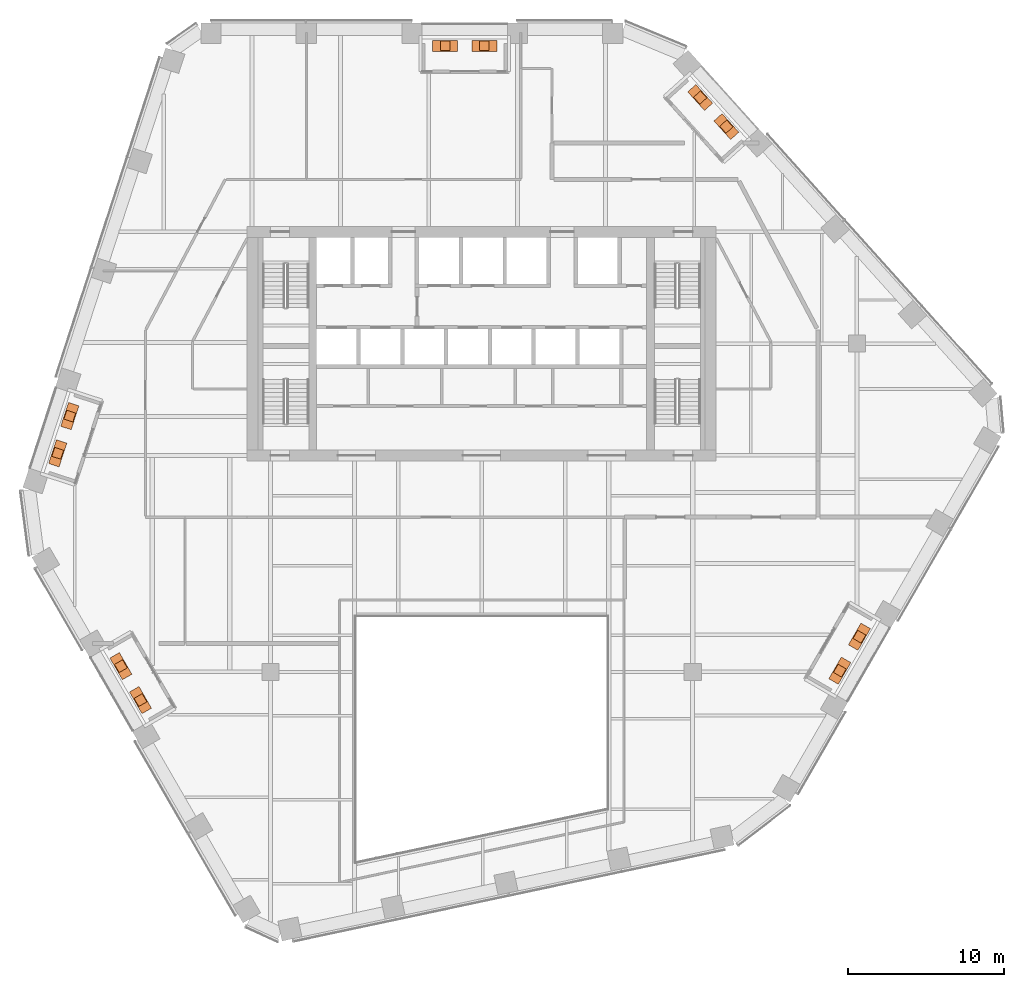
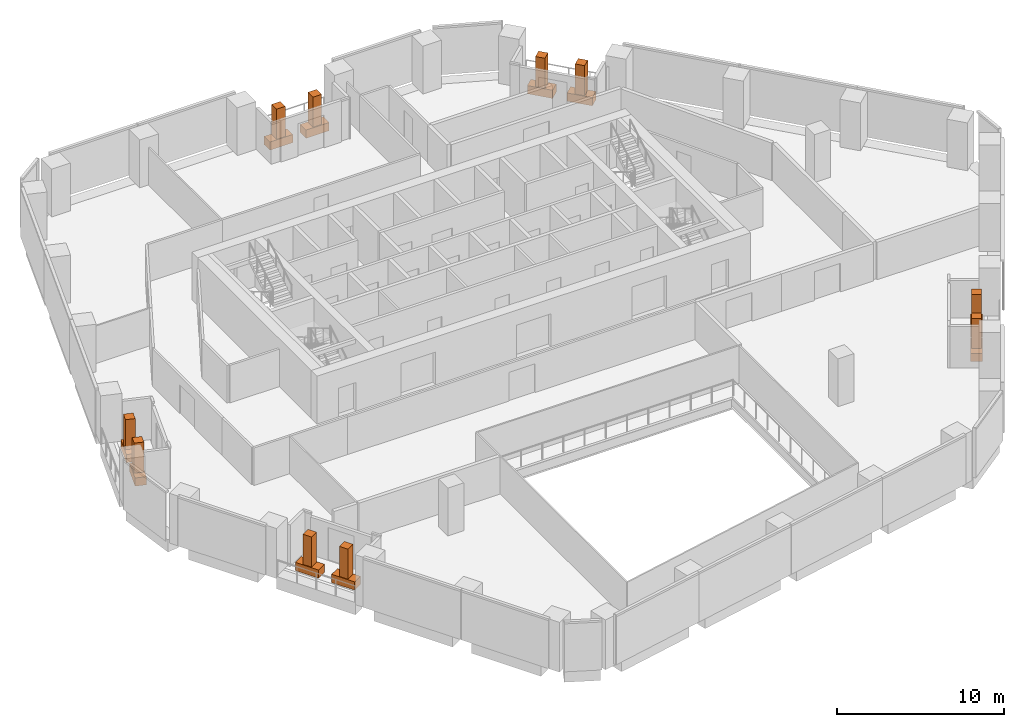
# One storey, part 25 of 25: 10 geographic elements, 10 proxies.
"""IFC4 building model written with IfcOpenShell, lengths in metres."""

from ifc_helpers import new_model, si_unit, direction, frame, origin, origin_2d, place, context, subcontext, project, spatial, rectangle, extrude, material, type_object, element, save


model = new_model("IFC4")

# Units and contexts
model_context = context("Model", 3, precision=1e-05, world=origin(), true_north=direction((0.0, 1.0)))
body_context = subcontext(model_context, "Body", "Model", "MODEL_VIEW")
ifc_project = project(units=[si_unit("LENGTHUNIT", "METRE"), si_unit("AREAUNIT", "SQUARE_METRE"), si_unit("VOLUMEUNIT", "CUBIC_METRE"), si_unit("PLANEANGLEUNIT", "RADIAN"), si_unit("MASSUNIT", "GRAM", prefix="KILO")], contexts=[model_context])

# Site, building, storey
site_placement = place(None, origin())
site = spatial("IfcSite", under=ifc_project, at=site_placement, CompositionType="ELEMENT")
building_placement = place(site_placement, origin())
building = spatial("IfcBuilding", under=site, at=building_placement, Name="Isthmus Gate Tower", CompositionType="ELEMENT")
storey_placement = place(building_placement, frame((0.0, 0.0, 174.449951171875)))
storey = spatial("IfcBuildingStorey", under=building, at=storey_placement, Name="L43", CompositionType="ELEMENT", Elevation=174.449951171875)

# Geographic elements
ifc_material_1 = material(Name="Plant material, broadleaf tree")
geographic_element_type = type_object("IfcGeographicElementType", Name="BROADLEAF TREE 2200 HIGH", PredefinedType="USERDEFINED", material=ifc_material_1)
for number, where, z_axis, x_axis, name in (
    (1, (0.1669921875, 26.550048828125, 0.60009765625), (0.0, 0.0, 1.0), (-1.0, 0.0, 0.0), "TREE"),
    (2, (-2.340087890625, 26.550048828125, 0.60009765625), (0.0, 0.0, 1.0), (-1.0, 0.0, 0.0), "TREE"),
    (3, (-26.34228515625, 2.864501953125, 0.60009765625), (0.0, 0.0, 1.0), (-0.309016994375, -0.951056516295, 0.0), "TREE"),
    (4, (-27.11572265625, 0.484130859375, 0.60009765625), (0.0, 0.0, 1.0), (-0.309016994375, -0.951056516295, 0.0), "TREE"),
    (5, (-23.076416015625, -13.13037109375, 0.60009765625), (0.0, 0.0, 1.0), (0.5, -0.866025403784, 0.0), "TREE"),
    (6, (-21.822998046875, -15.3017578125, 0.60009765625), (0.0, 0.0, 1.0), (0.5, -0.866025403784, 0.0), "TREE"),
    (7, (22.909423828125, -13.41943359375, 0.60009765625), (0.0, 0.0, 1.0), (0.5, 0.866025403784, 0.0), "TREE"),
    (8, (24.1630859375, -11.248291015625, 0.60009765625), (0.0, 0.0, 1.0), (0.5, 0.866025403784, 0.0), "TREE"),
    (9, (15.65185546875, 21.380859375, 0.60009765625), (0.0, 0.0, 1.0), (-0.669130606359, 0.743144825477, 0.0), "TREE"),
    (10, (13.97705078125, 23.24072265625, 0.60009765625), (0.0, 0.0, 1.0), (-0.669130606359, 0.743144825477, 0.0), "TREE"),
):
    element("IfcGeographicElement", number, at=place(storey_placement, frame(where, z_axis=z_axis, x_axis=x_axis)), inside=storey, type_object=geographic_element_type, Name=name, ObjectType="TREE", PredefinedType="USERDEFINED", context=body_context, shape_type="SweptSolid", body=[
        extrude(rectangle(XDim=0.60009765625, YDim=0.60009765625, at=origin_2d()), origin(), (0.0, 0.0, 1.0), 2.199951171875),
    ])

# Proxies
ifc_material_2 = material(Name="Concrete f'c 40 MPa", Category="concrete")
building_element_proxy_type = type_object("IfcBuildingElementProxyType", Name="CONCRETE PLANTER 1600 X 700 X 600", PredefinedType="USERDEFINED", material=ifc_material_2)
for number, where, z_axis, x_axis, name in (
    (11, (0.1669921875, 26.550048828125, 0.0), (0.0, 0.0, 1.0), (-1.0, 0.0, 0.0), "PLANTER"),
    (12, (-2.340087890625, 26.550048828125, 0.0), (0.0, 0.0, 1.0), (-1.0, 0.0, 0.0), "PLANTER"),
    (13, (-26.34228515625, 2.864501953125, 0.0), (0.0, 0.0, 1.0), (-0.309016994375, -0.951056516295, 0.0), "PLANTER"),
    (14, (-27.11572265625, 0.484130859375, 0.0), (0.0, 0.0, 1.0), (-0.309016994375, -0.951056516295, 0.0), "PLANTER"),
    (15, (-23.076416015625, -13.13037109375, 0.0), (0.0, 0.0, 1.0), (0.5, -0.866025403784, 0.0), "PLANTER"),
    (16, (-21.822998046875, -15.3017578125, 0.0), (0.0, 0.0, 1.0), (0.5, -0.866025403784, 0.0), "PLANTER"),
    (17, (22.909423828125, -13.41943359375, 0.0), (0.0, 0.0, 1.0), (0.5, 0.866025403784, 0.0), "PLANTER"),
    (18, (24.1630859375, -11.248291015625, 0.0), (0.0, 0.0, 1.0), (0.5, 0.866025403784, 0.0), "PLANTER"),
    (19, (15.65185546875, 21.380859375, 0.0), (0.0, 0.0, 1.0), (-0.669130606359, 0.743144825477, 0.0), "PLANTER"),
    (20, (13.97705078125, 23.24072265625, 0.0), (0.0, 0.0, 1.0), (-0.669130606359, 0.743144825477, 0.0), "PLANTER"),
):
    element("IfcBuildingElementProxy", number, at=place(storey_placement, frame(where, z_axis=z_axis, x_axis=x_axis)), inside=storey, type_object=building_element_proxy_type, Name=name, ObjectType="PLANTER", PredefinedType="USERDEFINED", context=body_context, shape_type="SweptSolid", body=[
        extrude(rectangle(XDim=1.60009765625, YDim=0.699951171875, at=origin_2d()), origin(), (0.0, 0.0, 1.0), 0.60009765625),
    ])

save(model, "model.ifc")
